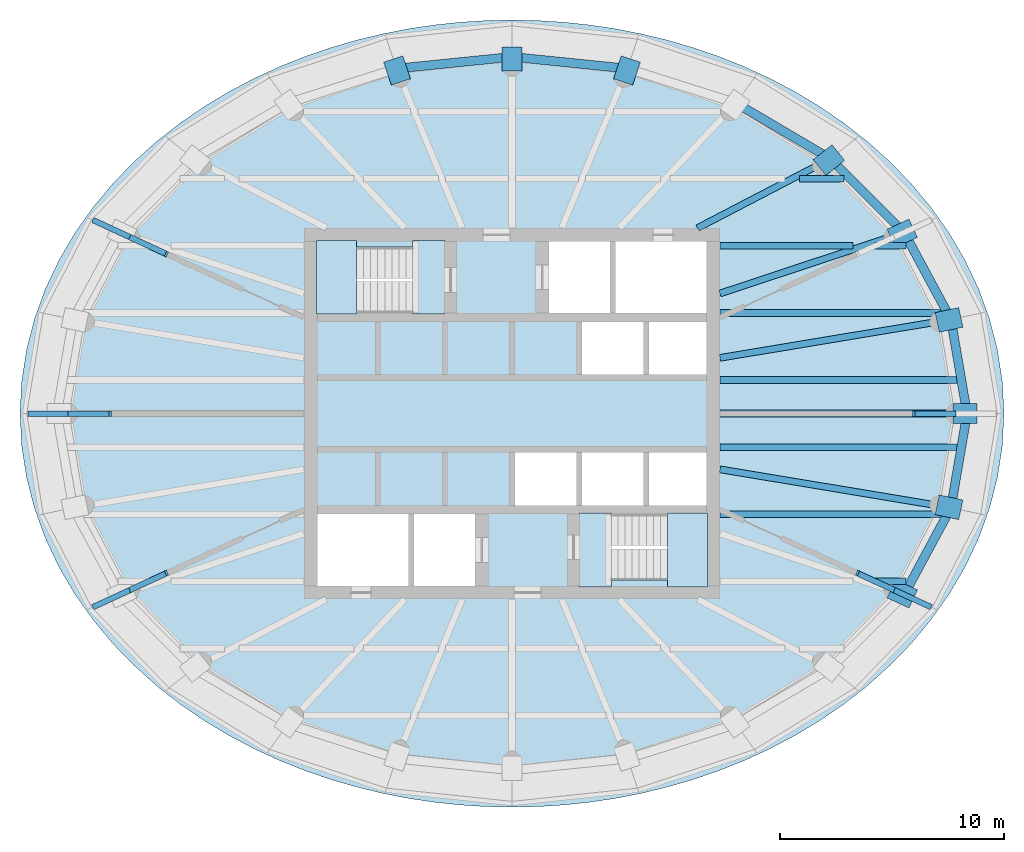
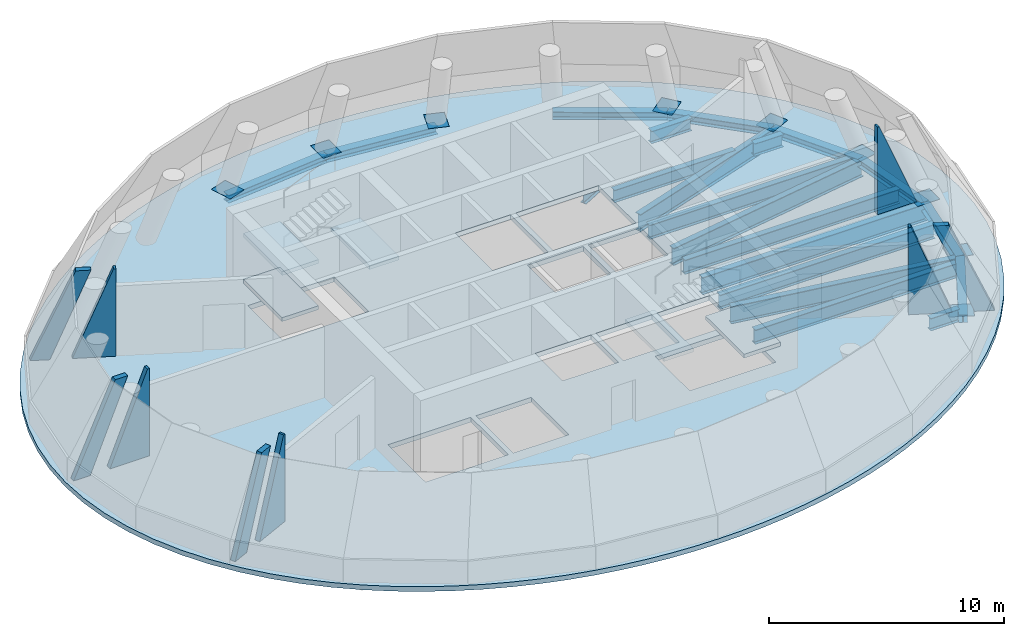
# One storey, part 3 of 6: 30 beams, 9 plates, 7 slabs, 2 elements without a shape of their own.
"""IFC4 building model written with IfcOpenShell, lengths in metres."""

from ifc_helpers import new_model, si_unit, direction, frame, origin, origin_2d, place, context, subcontext, project, spatial, polyline, rectangle, i_section, outline, extrude, material, layer, layer_set, material_profile, profile_set, type_object, element, aggregate, save


model = new_model("IFC4")

# Units and contexts
model_context = context("Model", 3, precision=1e-05, world=origin(), true_north=direction((0.0, 1.0)))
body_context = subcontext(model_context, "Body", "Model", "MODEL_VIEW")
ifc_project = project(units=[si_unit("LENGTHUNIT", "METRE"), si_unit("AREAUNIT", "SQUARE_METRE"), si_unit("VOLUMEUNIT", "CUBIC_METRE"), si_unit("PLANEANGLEUNIT", "RADIAN"), si_unit("MASSUNIT", "GRAM", prefix="KILO")], contexts=[model_context])

# Site, building, storey
site_placement = place(None, origin())
site = spatial("IfcSite", under=ifc_project, at=site_placement, CompositionType="ELEMENT")
building_placement = place(site_placement, origin())
building = spatial("IfcBuilding", under=site, at=building_placement, Name="Hankou Lantern Tower", CompositionType="ELEMENT")
storey_placement = place(building_placement, frame((0.0, 0.0, 232.5)))
storey = spatial("IfcBuildingStorey", under=building, at=storey_placement, Name="L63", CompositionType="ELEMENT", Elevation=232.5)

# Beams
ifc_material_1 = material(Name="Steel Q355B", Category="steel")
ifc_material_profile_1 = material_profile(ifc_material_1, i_section(OverallWidth=0.39990234375, OverallDepth=0.39990234375, WebThickness=0.012939453125, FlangeThickness=0.02099609375, FilletRadius=0.02197265625, at=origin_2d()), Name="HW400x400x13x21")
ifc_profile_set_1 = profile_set([ifc_material_profile_1], Name="Steel Q355B")
beam_type_1 = type_object("IfcBeamType", Name="EB19 RING BEAM HW400x400x13x21", PredefinedType="SPANDREL", material=ifc_profile_set_1)
beam_1_placement = place(storey_placement, frame((20.35009765625, 0.0, -0.449951171875), z_axis=(-0.168876512999, 0.98563721691, 0.0), x_axis=(-0.98563721691, -0.168876512999, 0.0)))
element("IfcBeam", 1, at=beam_1_placement, inside=storey, type_object=beam_type_1, Name="Ring beam R01-R02 L63", PredefinedType="SPANDREL", context=body_context, shape_type="SweptSolid", body=[
    extrude(i_section(OverallWidth=0.39990234375, OverallDepth=0.39990234375, WebThickness=0.012939453125, FlangeThickness=0.02099609375, FilletRadius=0.02197265625, at=origin_2d()), origin(), (0.0, 0.0, 1.0), 4.26904296875),
])
beam_2_placement = place(storey_placement, frame((19.629150390625, 4.207763671875, -0.449951171875), z_axis=(-0.474491806611, 0.880259919262, 0.0), x_axis=(-0.880259919262, -0.474491806611, 0.0)))
element("IfcBeam", 2, at=beam_2_placement, inside=storey, type_object=beam_type_1, Name="Ring beam R02-R03 L63", PredefinedType="SPANDREL", context=body_context, shape_type="SweptSolid", body=[
    extrude(i_section(OverallWidth=0.39990234375, OverallDepth=0.39990234375, WebThickness=0.012939453125, FlangeThickness=0.02099609375, FilletRadius=0.02197265625, at=origin_2d()), origin(), (0.0, 0.0, 1.0), 4.419189453125),
])
beam_3_placement = place(storey_placement, frame((17.5322265625, 8.097900390625, -0.449951171875), z_axis=(-0.706608588034, 0.707604623583, 0.0), x_axis=(-0.707604623583, -0.706608588034, 0.0)))
element("IfcBeam", 3, at=beam_3_placement, inside=storey, type_object=beam_type_1, Name="Ring beam R03-R04 L63", PredefinedType="SPANDREL", context=body_context, shape_type="SweptSolid", body=[
    extrude(i_section(OverallWidth=0.39990234375, OverallDepth=0.39990234375, WebThickness=0.012939453125, FlangeThickness=0.02099609375, FilletRadius=0.02197265625, at=origin_2d()), origin(), (0.0, 0.0, 1.0), 4.6572265625),
])
beam_4_placement = place(storey_placement, frame((14.241455078125, 11.393310546875, -0.449951171875), z_axis=(-0.861422897323, 0.507888365655, 0.0), x_axis=(-0.507888365655, -0.861422897323, 0.0)))
element("IfcBeam", 4, at=beam_4_placement, inside=storey, type_object=beam_type_1, Name="Ring beam R04-R05 L63", PredefinedType="SPANDREL", context=body_context, shape_type="SweptSolid", body=[
    extrude(i_section(OverallWidth=0.39990234375, OverallDepth=0.39990234375, WebThickness=0.012939453125, FlangeThickness=0.02099609375, FilletRadius=0.02197265625, at=origin_2d()), origin(), (0.0, 0.0, 1.0), 4.901611328125),
])
for number, where, z_axis, x_axis, name in (
    (5, (5.167236328125, 15.42724609375, -0.449951171875), (-0.994922507736, 0.100643944676, 0.0), (-0.100643944676, -0.994922507736, 0.0), "Ring beam R06-R07 L63"),
    (6, (0.0, 15.949951171875, -0.449951171875), (-0.994922507736, -0.100643944676, 0.0), (0.100643944676, -0.994922507736, 0.0), "Ring beam R07-R08 L63"),
):
    element("IfcBeam", number, at=place(storey_placement, frame(where, z_axis=z_axis, x_axis=x_axis)), inside=storey, type_object=beam_type_1, Name=name, PredefinedType="SPANDREL", context=body_context, shape_type="SweptSolid", body=[
        extrude(i_section(OverallWidth=0.39990234375, OverallDepth=0.39990234375, WebThickness=0.012939453125, FlangeThickness=0.02099609375, FilletRadius=0.02197265625, at=origin_2d()), origin(), (0.0, 0.0, 1.0), 5.193603515625),
    ])
beam_5_placement = place(storey_placement, frame((17.5322265625, -8.097900390625, -0.449951171875), z_axis=(0.474491806611, 0.880259919262, 0.0), x_axis=(-0.880259919262, 0.474491806611, 0.0)))
element("IfcBeam", 7, at=beam_5_placement, inside=storey, type_object=beam_type_1, Name="Ring beam R23-R24 L63", PredefinedType="SPANDREL", context=body_context, shape_type="SweptSolid", body=[
    extrude(i_section(OverallWidth=0.39990234375, OverallDepth=0.39990234375, WebThickness=0.012939453125, FlangeThickness=0.02099609375, FilletRadius=0.02197265625, at=origin_2d()), origin(), (0.0, 0.0, 1.0), 4.419189453125),
])
beam_6_placement = place(storey_placement, frame((19.629150390625, -4.207763671875, -0.449951171875), z_axis=(0.168876512999, 0.98563721691, 0.0), x_axis=(-0.98563721691, 0.168876512999, 0.0)))
element("IfcBeam", 8, at=beam_6_placement, inside=storey, type_object=beam_type_1, Name="Ring beam R24-R01 L63", PredefinedType="SPANDREL", context=body_context, shape_type="SweptSolid", body=[
    extrude(i_section(OverallWidth=0.39990234375, OverallDepth=0.39990234375, WebThickness=0.012939453125, FlangeThickness=0.02099609375, FilletRadius=0.02197265625, at=origin_2d()), origin(), (0.0, 0.0, 1.0), 4.26904296875),
])
ifc_material_2 = material(Name="Steel Q355B", Category="steel")
ifc_material_profile_2 = material_profile(ifc_material_2, i_section(OverallWidth=0.300048828125, OverallDepth=0.89990234375, WebThickness=0.01611328125, FlangeThickness=0.028076171875, FilletRadius=0.01806640625, at=origin_2d()), Name="HN900x300x16x28")
ifc_profile_set_2 = profile_set([ifc_material_profile_2], Name="Steel Q355B")
beam_type_2 = type_object("IfcBeamType", Name="RB13 RADIAL BEAM HN900x300x16x28", PredefinedType="BEAM", material=ifc_profile_set_2)
beam_7_placement = place(storey_placement, frame((9.300048828125, 0.0, -0.699951171875), z_axis=(1.0, 0.0, 0.0), x_axis=(0.0, 1.0, 0.0)))
element("IfcBeam", 9, at=beam_7_placement, inside=storey, type_object=beam_type_2, Name="Radial beam R01 L63", PredefinedType="BEAM", context=body_context, shape_type="SweptSolid", body=[
    extrude(i_section(OverallWidth=0.300048828125, OverallDepth=0.89990234375, WebThickness=0.01611328125, FlangeThickness=0.028076171875, FilletRadius=0.01806640625, at=origin_2d()), origin(), (0.0, 0.0, 1.0), 11.050048828125),
])
beam_8_placement = place(storey_placement, frame((9.300048828125, 2.491943359375, -0.699951171875), z_axis=(0.986482007061, 0.163869612027, 0.0), x_axis=(-0.163869612027, 0.986482007061, 0.0)))
element("IfcBeam", 10, at=beam_8_placement, inside=storey, type_object=beam_type_2, Name="Radial beam R02 L63", PredefinedType="BEAM", context=body_context, shape_type="SweptSolid", body=[
    extrude(i_section(OverallWidth=0.300048828125, OverallDepth=0.89990234375, WebThickness=0.01611328125, FlangeThickness=0.028076171875, FilletRadius=0.01806640625, at=origin_2d()), origin(), (0.0, 0.0, 1.0), 10.470703125),
])
beam_9_placement = place(storey_placement, frame((9.300048828125, 5.369384765625, -0.699951171875), z_axis=(0.949219608576, 0.314614263337, 0.0), x_axis=(-0.314614263337, 0.949219608576, 0.0)))
element("IfcBeam", 11, at=beam_9_placement, inside=storey, type_object=beam_type_2, Name="Radial beam R03 L63", PredefinedType="BEAM", context=body_context, shape_type="SweptSolid", body=[
    extrude(i_section(OverallWidth=0.300048828125, OverallDepth=0.89990234375, WebThickness=0.01611328125, FlangeThickness=0.028076171875, FilletRadius=0.01806640625, at=origin_2d()), origin(), (0.0, 0.0, 1.0), 8.672607421875),
])
beam_10_placement = place(storey_placement, frame((8.300048828125, 8.300048828125, -0.699951171875), z_axis=(0.886988734783, 0.461791061378, 0.0), x_axis=(-0.461791061378, 0.886988734783, 0.0)))
element("IfcBeam", 12, at=beam_10_placement, inside=storey, type_object=beam_type_2, Name="Radial beam R04 L63", PredefinedType="BEAM", context=body_context, shape_type="SweptSolid", body=[
    extrude(i_section(OverallWidth=0.300048828125, OverallDepth=0.89990234375, WebThickness=0.01611328125, FlangeThickness=0.028076171875, FilletRadius=0.01806640625, at=origin_2d()), origin(), (0.0, 0.0, 1.0), 6.698486328125),
])
beam_11_placement = place(storey_placement, frame((9.300048828125, -2.491943359375, -0.699951171875), z_axis=(0.986482007061, -0.163869612027, 0.0), x_axis=(0.163869612027, 0.986482007061, 0.0)))
element("IfcBeam", 13, at=beam_11_placement, inside=storey, type_object=beam_type_2, Name="Radial beam R24 L63", PredefinedType="BEAM", context=body_context, shape_type="SweptSolid", body=[
    extrude(i_section(OverallWidth=0.300048828125, OverallDepth=0.89990234375, WebThickness=0.01611328125, FlangeThickness=0.028076171875, FilletRadius=0.01806640625, at=origin_2d()), origin(), (0.0, 0.0, 1.0), 10.470703125),
])
ifc_material_3 = material(Name="Steel Q355B", Category="steel")
ifc_material_profile_3 = material_profile(ifc_material_3, i_section(OverallWidth=0.300048828125, OverallDepth=0.75, WebThickness=0.012939453125, FlangeThickness=0.02392578125, FilletRadius=0.01806640625, at=origin_2d()), Name="HN750x300x13x24")
ifc_profile_set_3 = profile_set([ifc_material_profile_3], Name="Steel Q355B")
beam_type_3 = type_object("IfcBeamType", Name="SB10 SECONDARY BEAM HN750x300x13x24", PredefinedType="JOIST", material=ifc_profile_set_3)
beam_12_placement = place(storey_placement, frame((9.300048828125, -4.5, -0.625), z_axis=(1.0, 0.0, 0.0), x_axis=(0.0, 1.0, 0.0)))
element("IfcBeam", 14, at=beam_12_placement, inside=storey, type_object=beam_type_3, Name="Floor joist J018 L63", PredefinedType="JOIST", context=body_context, shape_type="SweptSolid", body=[
    extrude(i_section(OverallWidth=0.300048828125, OverallDepth=0.75, WebThickness=0.012939453125, FlangeThickness=0.02392578125, FilletRadius=0.01806640625, at=origin_2d()), origin(), (0.0, 0.0, 1.0), 9.9443359375),
])
for number, where, z_axis, x_axis, name in (
    (15, (9.300048828125, -1.5, -0.625), (1.0, 0.0, 0.0), (0.0, 1.0, 0.0), "Floor joist J020 L63"),
    (16, (9.300048828125, 1.5, -0.625), (1.0, 0.0, 0.0), (0.0, 1.0, 0.0), "Floor joist J022 L63"),
):
    element("IfcBeam", number, at=place(storey_placement, frame(where, z_axis=z_axis, x_axis=x_axis)), inside=storey, type_object=beam_type_3, Name=name, PredefinedType="JOIST", context=body_context, shape_type="SweptSolid", body=[
        extrude(i_section(OverallWidth=0.300048828125, OverallDepth=0.75, WebThickness=0.012939453125, FlangeThickness=0.02392578125, FilletRadius=0.01806640625, at=origin_2d()), origin(), (0.0, 0.0, 1.0), 10.590087890625),
    ])
beam_13_placement = place(storey_placement, frame((9.300048828125, 4.5, -0.625), z_axis=(1.0, 0.0, 0.0), x_axis=(0.0, 1.0, 0.0)))
element("IfcBeam", 17, at=beam_13_placement, inside=storey, type_object=beam_type_3, Name="Floor joist J024 L63", PredefinedType="JOIST", context=body_context, shape_type="SweptSolid", body=[
    extrude(i_section(OverallWidth=0.300048828125, OverallDepth=0.75, WebThickness=0.012939453125, FlangeThickness=0.02392578125, FilletRadius=0.01806640625, at=origin_2d()), origin(), (0.0, 0.0, 1.0), 9.9443359375),
])
ifc_material_4 = material(Name="Steel Q355B", Category="steel")
ifc_material_profile_4 = material_profile(ifc_material_4, i_section(OverallWidth=0.300048828125, OverallDepth=0.64990234375, WebThickness=0.010986328125, FlangeThickness=0.01708984375, FilletRadius=0.01806640625, at=origin_2d()), Name="HN650x300x11x17")
ifc_profile_set_4 = profile_set([ifc_material_profile_4], Name="Steel Q355B")
beam_type_4 = type_object("IfcBeamType", Name="SB8 SECONDARY BEAM HN650x300x11x17", PredefinedType="JOIST", material=ifc_profile_set_4)
beam_14_placement = place(storey_placement, frame((16.205322265625, -7.5, -0.574951171875), z_axis=(1.0, 0.0, 0.0), x_axis=(0.0, 1.0, 0.0)))
element("IfcBeam", 18, at=beam_14_placement, inside=storey, type_object=beam_type_4, Name="Floor joist J016 L63", PredefinedType="JOIST", context=body_context, shape_type="SweptSolid", body=[
    extrude(i_section(OverallWidth=0.300048828125, OverallDepth=0.64990234375, WebThickness=0.010986328125, FlangeThickness=0.01708984375, FilletRadius=0.01806640625, at=origin_2d()), origin(), (0.0, 0.0, 1.0), 1.421875),
])
beam_15_placement = place(storey_placement, frame((9.300048828125, 7.5, -0.574951171875), z_axis=(1.0, 0.0, 0.0), x_axis=(0.0, 1.0, 0.0)))
element("IfcBeam", 19, at=beam_15_placement, inside=storey, type_object=beam_type_4, Name="Floor joist J027 L63", PredefinedType="JOIST", context=body_context, shape_type="SweptSolid", body=[
    extrude(i_section(OverallWidth=0.300048828125, OverallDepth=0.64990234375, WebThickness=0.010986328125, FlangeThickness=0.01708984375, FilletRadius=0.01806640625, at=origin_2d()), origin(), (0.0, 0.0, 1.0), 5.95166015625),
])
beam_16_placement = place(storey_placement, frame((16.205322265625, 7.5, -0.574951171875), z_axis=(1.0, 0.0, 0.0), x_axis=(0.0, 1.0, 0.0)))
element("IfcBeam", 20, at=beam_16_placement, inside=storey, type_object=beam_type_4, Name="Floor joist J028 L63", PredefinedType="JOIST", context=body_context, shape_type="SweptSolid", body=[
    extrude(i_section(OverallWidth=0.300048828125, OverallDepth=0.64990234375, WebThickness=0.010986328125, FlangeThickness=0.01708984375, FilletRadius=0.01806640625, at=origin_2d()), origin(), (0.0, 0.0, 1.0), 1.421875),
])
beam_17_placement = place(storey_placement, frame((12.8505859375, 10.5, -0.574951171875), z_axis=(1.0, 0.0, 0.0), x_axis=(0.0, 1.0, 0.0)))
element("IfcBeam", 21, at=beam_17_placement, inside=storey, type_object=beam_type_4, Name="Floor joist J036 L63", PredefinedType="JOIST", context=body_context, shape_type="SweptSolid", body=[
    extrude(i_section(OverallWidth=0.300048828125, OverallDepth=0.64990234375, WebThickness=0.010986328125, FlangeThickness=0.01708984375, FilletRadius=0.01806640625, at=origin_2d()), origin(), (0.0, 0.0, 1.0), 2.000244140625),
])
ifc_material_5 = material(Name="Concrete C50", Category="concrete")
ifc_material_profile_5 = material_profile(ifc_material_5, rectangle(XDim=0.89990234375, YDim=1.050048828125, at=origin_2d()), Name="RC 900x1050")
ifc_profile_set_5 = profile_set([ifc_material_profile_5], Name="Concrete C50")
beam_type_5 = type_object("IfcBeamType", Name="TN4 TRANSFER NODE RC 900x1050", PredefinedType="BEAM", material=ifc_profile_set_5)
beam_18_placement = place(storey_placement, frame((20.800048828125, 0.0, -0.52490234375), z_axis=(-1.0, 0.0, 0.0), x_axis=(0.0, -1.0, 0.0)))
element("IfcBeam", 22, at=beam_18_placement, inside=storey, type_object=beam_type_5, Name="Transfer node R01 L63", PredefinedType="BEAM", context=body_context, shape_type="SweptSolid", body=[
    extrude(rectangle(XDim=0.89990234375, YDim=1.050048828125, at=origin_2d()), origin(), (0.0, 0.0, 1.0), 1.080078125),
])
for number, where, z_axis, x_axis, name in (
    (23, (20.069091796875, 4.302001953125, -0.52490234375), (-0.977792487553, -0.209575407159, 0.0), (0.209575407159, -0.977792487553, 0.0), "Transfer node R02 L63"),
    (24, (17.940673828125, 8.286376953125, -0.52490234375), (-0.907919679342, -0.419144194597, 0.0), (0.419144194597, -0.907919679342, 0.0), "Transfer node R03 L63"),
):
    element("IfcBeam", number, at=place(storey_placement, frame(where, z_axis=z_axis, x_axis=x_axis)), inside=storey, type_object=beam_type_5, Name=name, PredefinedType="BEAM", context=body_context, shape_type="SweptSolid", body=[
        extrude(rectangle(XDim=0.89990234375, YDim=1.050048828125, at=origin_2d()), origin(), (0.0, 0.0, 1.0), 1.079833984375),
    ])
for number, where, z_axis, x_axis, name in (
    (25, (14.593017578125, 11.67431640625, -0.52490234375), (-0.780979062227, -0.624557206638, 0.0), (0.624557206638, -0.780979062227, 0.0), "Transfer node R04 L63"),
    (26, (5.31005859375, 15.85400390625, -0.52490234375), (-0.317583672079, -0.948230252222, 0.0), (0.948230252222, -0.317583672079, 0.0), "Transfer node R06 L63"),
):
    element("IfcBeam", number, at=place(storey_placement, frame(where, z_axis=z_axis, x_axis=x_axis)), inside=storey, type_object=beam_type_5, Name=name, PredefinedType="BEAM", context=body_context, shape_type="SweptSolid", body=[
        extrude(rectangle(XDim=0.89990234375, YDim=1.050048828125, at=origin_2d()), origin(), (0.0, 0.0, 1.0), 1.080078125),
    ])
beam_19_placement = place(storey_placement, frame((0.0, 16.39990234375, -0.52490234375), z_axis=(0.0, -1.0, 0.0), x_axis=(1.0, 0.0, 0.0)))
element("IfcBeam", 27, at=beam_19_placement, inside=storey, type_object=beam_type_5, Name="Transfer node R07 L63", PredefinedType="BEAM", context=body_context, shape_type="SweptSolid", body=[
    extrude(rectangle(XDim=0.89990234375, YDim=1.050048828125, at=origin_2d()), origin(), (0.0, 0.0, 1.0), 1.079833984375),
])
beam_20_placement = place(storey_placement, frame((-5.31005859375, 15.85400390625, -0.52490234375), z_axis=(0.317583672079, -0.948230252222, 0.0), x_axis=(0.948230252222, 0.317583672079, 0.0)))
element("IfcBeam", 28, at=beam_20_placement, inside=storey, type_object=beam_type_5, Name="Transfer node R08 L63", PredefinedType="BEAM", context=body_context, shape_type="SweptSolid", body=[
    extrude(rectangle(XDim=0.89990234375, YDim=1.050048828125, at=origin_2d()), origin(), (0.0, 0.0, 1.0), 1.080078125),
])
for number, where, z_axis, x_axis, name in (
    (29, (17.940673828125, -8.286376953125, -0.52490234375), (-0.907919679342, 0.419144194597, 0.0), (-0.419144194597, -0.907919679342, 0.0), "Transfer node R23 L63"),
    (30, (20.069091796875, -4.302001953125, -0.52490234375), (-0.977792487553, 0.209575407159, 0.0), (-0.209575407159, -0.977792487553, 0.0), "Transfer node R24 L63"),
):
    element("IfcBeam", number, at=place(storey_placement, frame(where, z_axis=z_axis, x_axis=x_axis)), inside=storey, type_object=beam_type_5, Name=name, PredefinedType="BEAM", context=body_context, shape_type="SweptSolid", body=[
        extrude(rectangle(XDim=0.89990234375, YDim=1.050048828125, at=origin_2d()), origin(), (0.0, 0.0, 1.0), 1.079833984375),
    ])

# Plates
ifc_material_6 = material(Name="Fire-rated calcium silicate board on steel studs", Category="steel")
ifc_layer_1 = layer(ifc_material_6, 0.25)
ifc_layer_set_1 = layer_set([ifc_layer_1], Name="Fire-rated calcium silicate board on steel studs")
plate_type = type_object("IfcPlateType", Name="FC1 FIRE CLOSURE PANEL", PredefinedType="USERDEFINED", material=ifc_layer_set_1)
plate_1_placement = place(storey_placement, frame((-15.352783203125, 7.228759765625, 0.0), z_axis=(0.41945302276, 0.907777043616, -2.793261e-05), x_axis=(-0.907777043971, 0.419453022924, -1.908e-09)))
element("IfcPlate", 31, at=plate_1_placement, inside=storey, type_object=plate_type, Name="Fire closure panel R11 inner L63", ObjectType="FIRE CLOSURE", PredefinedType="USERDEFINED", context=body_context, shape_type="SweptSolid", body=[
    extrude(outline(polyline([(0.0, 0.0), (1.8604915652962406, 3.3881317890172014e-21), (0.09983671086276942, 4.550048830090547), (-8.682153371111548e-09, 4.550048826349956), (0.0, 0.0)])), origin(), (0.0, 0.0, -1.0), 0.25),
])
plate_2_placement = place(storey_placement, frame((-17.91796875, 8.41357421875, 0.0), z_axis=(0.4194284142, 0.907788412327, -6.1702045e-05), x_axis=(-0.907788414055, 0.419428414998, -5.385e-09)))
element("IfcPlate", 32, at=plate_2_placement, inside=storey, type_object=plate_type, Name="Fire closure panel R11 outer L63", ObjectType="FIRE CLOSURE", PredefinedType="USERDEFINED", context=body_context, shape_type="SweptSolid", body=[
    extrude(outline(polyline([(0.0, 0.0), (0.8511608088893448, 3.3881317890172014e-21), (-1.1065584503645711, 4.550048830827465), (-1.7606548764971905, 4.550048822721571), (0.0, 0.0)])), origin(), (0.0, 0.0, -1.0), 0.25),
])
plate_3_placement = place(storey_placement, frame((-15.352783203125, -7.228759765625, 0.0), z_axis=(0.41945302276, -0.907777043616, -2.793261e-05), x_axis=(-0.907777043971, -0.419453022924, -1.908e-09)))
element("IfcPlate", 33, at=plate_3_placement, inside=storey, type_object=plate_type, Name="Fire closure panel R15 inner L63", ObjectType="FIRE CLOSURE", PredefinedType="USERDEFINED", context=body_context, shape_type="SweptSolid", body=[
    extrude(outline(polyline([(0.0, 0.0), (1.8604915652962406, -3.3881317890172014e-21), (0.09983671086276942, -4.550048830090547), (-8.682153371111548e-09, -4.550048826349956), (0.0, 0.0)])), origin(), (0.0, 0.0, -1.0), 0.25),
])
plate_4_placement = place(storey_placement, frame((-17.91796875, -8.41357421875, 0.0), z_axis=(0.4194284142, -0.907788412327, -6.1702045e-05), x_axis=(-0.907788414055, -0.419428414998, -5.385e-09)))
element("IfcPlate", 34, at=plate_4_placement, inside=storey, type_object=plate_type, Name="Fire closure panel R15 outer L63", ObjectType="FIRE CLOSURE", PredefinedType="USERDEFINED", context=body_context, shape_type="SweptSolid", body=[
    extrude(outline(polyline([(0.0, 0.0), (0.8511608088893448, -3.3881317890172014e-21), (-1.1065584503645711, -4.550048830827465), (-1.7606548764971905, -4.550048822721571), (0.0, 0.0)])), origin(), (0.0, 0.0, -1.0), 0.25),
])
plate_5_placement = place(storey_placement, frame((15.45751953125, -7.001708984375, 0.0), z_axis=(0.419405606369, 0.907798952028, 6.57478e-06), x_axis=(0.907798952048, -0.419405606378, -1.06e-10)))
element("IfcPlate", 35, at=plate_5_placement, inside=storey, type_object=plate_type, Name="Fire closure panel R23 inner L63", ObjectType="FIRE CLOSURE", PredefinedType="USERDEFINED", context=body_context, shape_type="SweptSolid", body=[
    extrude(outline(polyline([(0.0, 0.0), (1.8604915693968052, 0.0), (0.10005834289268663, -4.550048828233923), (-4.810241623492531e-10, -4.5500488280266564), (0.0, 0.0)])), origin(), (0.0, 0.0, -1.0), 0.25),
])
plate_6_placement = place(storey_placement, frame((18.022705078125, -8.1865234375, 0.0), z_axis=(0.419366667736, 0.90781693967, 4.5160292e-05), x_axis=(0.907816940596, -0.419366668164, 5.455e-09)))
element("IfcPlate", 36, at=plate_6_placement, inside=storey, type_object=plate_type, Name="Fire closure panel R23 outer L63", ObjectType="FIRE CLOSURE", PredefinedType="USERDEFINED", context=body_context, shape_type="SweptSolid", body=[
    extrude(outline(polyline([(0.0, 0.0), (0.8514848314088794, 0.0), (-1.1065584175762293, -4.550048838801492), (-1.7605524527025889, -4.550048847014439), (0.0, 0.0)])), origin(), (0.0, 0.0, -1.0), 0.25),
])
plate_7_placement = place(storey_placement, frame((17.915771484375, 0.125, 0.0), z_axis=(0.0, 1.0, 0.0), x_axis=(1.0, 0.0, 0.0)))
element("IfcPlate", 37, at=plate_7_placement, inside=storey, type_object=plate_type, Name="Fire closure panel R01 inner L63", ObjectType="FIRE CLOSURE", PredefinedType="USERDEFINED", context=body_context, shape_type="SweptSolid", body=[
    extrude(outline(polyline([(0.0, 0.0), (1.948486328125, 0.0), (0.10009765625, -4.550048828125), (0.0, -4.550048828125), (0.0, 0.0)])), origin(), (0.0, 0.0, -1.0), 0.25),
])
plate_8_placement = place(storey_placement, frame((-17.915771484375, 0.125, 0.0), z_axis=(0.0, 1.0, 0.0), x_axis=(-1.0, 0.0, 0.0)))
element("IfcPlate", 38, at=plate_8_placement, inside=storey, type_object=plate_type, Name="Fire closure panel R13 inner L63", ObjectType="FIRE CLOSURE", PredefinedType="USERDEFINED", context=body_context, shape_type="SweptSolid", body=[
    extrude(outline(polyline([(0.0, 0.0), (1.948486328125, 0.0), (0.10009765625, 4.550048828125), (0.0, 4.550048828125), (0.0, 0.0)])), origin(), (0.0, 0.0, -1.0), 0.25),
])
plate_9_placement = place(storey_placement, frame((-20.835693359375, 0.125, 0.0), z_axis=(0.0, 1.0, 0.0), x_axis=(-1.0, 0.0, 0.0)))
element("IfcPlate", 39, at=plate_9_placement, inside=storey, type_object=plate_type, Name="Fire closure panel R13 outer L63", ObjectType="FIRE CLOSURE", PredefinedType="USERDEFINED", context=body_context, shape_type="SweptSolid", body=[
    extrude(outline(polyline([(0.0, 0.0), (0.814208984375, 0.0), (-1.235595703125, 4.550048828125), (-1.848388671875, 4.550048828125), (0.0, 0.0)])), origin(), (0.0, 0.0, -1.0), 0.25),
])

# Slab
ifc_material_7 = material(Name="Concrete C50", Category="concrete")
ifc_layer_2 = layer(ifc_material_7, 0.25)
ifc_layer_set_2 = layer_set([ifc_layer_2], Name="Concrete C50")
slab_type_1 = type_object("IfcSlabType", Name="S2 HEAVY FLOOR SLAB 250", PredefinedType="FLOOR", material=ifc_layer_set_2)
slab_1_placement = place(storey_placement, frame((0.0, 0.0, -0.25)))
element("IfcSlab", 40, at=slab_1_placement, inside=storey, type_object=slab_type_1, Name="Floor slab L63", PredefinedType="FLOOR", context=body_context, shape_type="SweptSolid", body=[
    extrude(outline(polyline([(22.0, 0.0), (21.926513671875, 1.437255859375), (21.7080078125, 2.85791015625), (21.349853515625, 4.246826171875), (20.861083984375, 5.589599609375), (20.252197265625, 6.874755859375), (19.53662109375, 8.09228515625), (18.727783203125, 9.235595703125), (17.83935546875, 10.299560546875), (16.88525390625, 11.2822265625), (15.877197265625, 12.18310546875), (14.82666015625, 13.002685546875), (13.743408203125, 13.743408203125), (12.63525390625, 14.40771484375), (11.509521484375, 14.999267578125), (10.37109375, 15.521728515625), (9.224853515625, 15.97802734375), (8.07373046875, 16.3720703125), (6.920166015625, 16.70654296875), (5.765625, 16.98486328125), (4.611083984375, 17.208984375), (3.457275390625, 17.38134765625), (2.304443359375, 17.503173828125), (1.152099609375, 17.575927734375), (0.0, 17.60009765625), (-1.152099609375, 17.575927734375), (-2.304443359375, 17.503173828125), (-3.457275390625, 17.38134765625), (-4.611083984375, 17.208984375), (-5.765625, 16.98486328125), (-6.920166015625, 16.70654296875), (-8.07373046875, 16.3720703125), (-9.224853515625, 15.97802734375), (-10.37109375, 15.521728515625), (-11.509521484375, 14.999267578125), (-12.63525390625, 14.40771484375), (-13.743408203125, 13.743408203125), (-14.82666015625, 13.002685546875), (-15.877197265625, 12.18310546875), (-16.88525390625, 11.2822265625), (-17.83935546875, 10.299560546875), (-18.727783203125, 9.235595703125), (-19.53662109375, 8.09228515625), (-20.252197265625, 6.874755859375), (-20.861083984375, 5.589599609375), (-21.349853515625, 4.246826171875), (-21.7080078125, 2.85791015625), (-21.926513671875, 1.437255859375), (-22.0, 0.0), (-21.926513671875, -1.437255859375), (-21.7080078125, -2.85791015625), (-21.349853515625, -4.246826171875), (-20.861083984375, -5.589599609375), (-20.252197265625, -6.874755859375), (-19.53662109375, -8.09228515625), (-18.727783203125, -9.235595703125), (-17.83935546875, -10.299560546875), (-16.88525390625, -11.2822265625), (-15.877197265625, -12.18310546875), (-14.82666015625, -13.002685546875), (-13.743408203125, -13.743408203125), (-12.63525390625, -14.40771484375), (-11.509521484375, -14.999267578125), (-10.37109375, -15.521728515625), (-9.224853515625, -15.97802734375), (-8.07373046875, -16.3720703125), (-6.920166015625, -16.70654296875), (-5.765625, -16.98486328125), (-4.611083984375, -17.208984375), (-3.457275390625, -17.38134765625), (-2.304443359375, -17.503173828125), (-1.152099609375, -17.575927734375), (0.0, -17.60009765625), (1.152099609375, -17.575927734375), (2.304443359375, -17.503173828125), (3.457275390625, -17.38134765625), (4.611083984375, -17.208984375), (5.765625, -16.98486328125), (6.920166015625, -16.70654296875), (8.07373046875, -16.3720703125), (9.224853515625, -15.97802734375), (10.37109375, -15.521728515625), (11.509521484375, -14.999267578125), (12.63525390625, -14.40771484375), (13.743408203125, -13.743408203125), (14.82666015625, -13.002685546875), (15.877197265625, -12.18310546875), (16.88525390625, -11.2822265625), (17.83935546875, -10.299560546875), (18.727783203125, -9.235595703125), (19.53662109375, -8.09228515625), (20.252197265625, -6.874755859375), (20.861083984375, -5.589599609375), (21.349853515625, -4.246826171875), (21.7080078125, -2.85791015625), (21.926513671875, -1.437255859375), (22.0, 0.0)]), holes=[polyline([(3.125, 4.10009765625), (5.875, 4.10009765625), (5.875, 1.75), (3.125, 1.75), (3.125, 4.10009765625)]), polyline([(6.125, 4.10009765625), (8.699951171875, 4.10009765625), (8.699951171875, 1.75), (6.125, 1.75), (6.125, 4.10009765625)]), polyline([(0.125, -1.75), (2.875, -1.75), (2.875, -4.10009765625), (0.125, -4.10009765625), (0.125, -1.75)]), polyline([(3.125, -1.75), (5.875, -1.75), (5.875, -4.10009765625), (3.125, -4.10009765625), (3.125, -1.75)]), polyline([(6.125, -1.75), (8.699951171875, -1.75), (8.699951171875, -4.10009765625), (6.125, -4.10009765625), (6.125, -1.75)]), polyline([(1.64990234375, 7.699951171875), (4.375, 7.699951171875), (4.375, 4.5), (1.64990234375, 4.5), (1.64990234375, 7.699951171875)]), polyline([(-4.375, -4.5), (-1.64990234375, -4.5), (-1.64990234375, -7.699951171875), (-4.375, -7.699951171875), (-4.375, -4.5)]), polyline([(-8.699951171875, 7.449951171875), (-4.449951171875, 7.449951171875), (-4.449951171875, 4.5), (-8.699951171875, 4.5), (-8.699951171875, 7.449951171875)]), polyline([(4.449951171875, -4.5), (8.699951171875, -4.5), (8.699951171875, -7.449951171875), (4.449951171875, -7.449951171875), (4.449951171875, -4.5)]), polyline([(4.625, 7.699951171875), (8.699951171875, 7.699951171875), (8.699951171875, 4.5), (4.625, 4.5), (4.625, 7.699951171875)]), polyline([(-8.699951171875, -4.5), (-4.625, -4.5), (-4.625, -7.699951171875), (-8.699951171875, -7.699951171875), (-8.699951171875, -4.5)])]), origin(), (0.0, 0.0, 1.0), 0.25),
])

# Stair, slabs
ifc_material_8 = material(Name="Concrete C40", Category="concrete")
stair_type = type_object("IfcStairType", Name="ST48 CORE STAIR 4800 RISE", PredefinedType="HALF_TURN_STAIR", material=ifc_material_8)
stair_1_placement = place(storey_placement, origin())
stair_1 = element("IfcStair", 41, at=stair_1_placement, inside=storey, type_object=stair_type, Name="Stair STA L63", PredefinedType="HALF_TURN_STAIR")
ifc_material_9 = material(Name="Concrete C40", Category="concrete")
ifc_layer_3 = layer(ifc_material_9, 0.199951171875)
ifc_layer_set_3 = layer_set([ifc_layer_3], Name="Concrete C40")
slab_type_2 = type_object("IfcSlabType", Name="SL1 STAIR LANDING 200", PredefinedType="LANDING", material=ifc_layer_set_3)
slab_2_placement = place(storey_placement, frame((0.0, 0.0, 1.0)))
slab_2 = element("IfcSlab", 42, at=slab_2_placement, type_object=slab_type_2, Name="STA landing 1", PredefinedType="LANDING", context=body_context, shape_type="SweptSolid", body=[
    extrude(outline(polyline([(-8.75, 4.449951171875), (-6.949951171875, 4.449951171875), (-6.949951171875, 7.75), (-8.75, 7.75), (-8.75, 4.449951171875)])), origin(), (0.0, 0.0, 1.0), 0.199951171875),
])
slab_3_placement = place(storey_placement, frame((0.0, 0.0, 2.199951171875)))
slab_3 = element("IfcSlab", 43, at=slab_3_placement, type_object=slab_type_2, Name="STA landing 2", PredefinedType="LANDING", context=body_context, shape_type="SweptSolid", body=[
    extrude(outline(polyline([(-4.449951171875, 4.449951171875), (-3.0, 4.449951171875), (-3.0, 7.75), (-4.449951171875, 7.75), (-4.449951171875, 4.449951171875)])), origin(), (0.0, 0.0, 1.0), 0.199951171875),
])
slab_4_placement = place(storey_placement, frame((0.0, 0.0, 3.39990234375)))
slab_4 = element("IfcSlab", 44, at=slab_4_placement, type_object=slab_type_2, Name="STA landing 3", PredefinedType="LANDING", context=body_context, shape_type="SweptSolid", body=[
    extrude(outline(polyline([(-8.75, 4.449951171875), (-6.949951171875, 4.449951171875), (-6.949951171875, 7.75), (-8.75, 7.75), (-8.75, 4.449951171875)])), origin(), (0.0, 0.0, 1.0), 0.2001953125),
])
aggregate(stair_1, [slab_2, slab_3, slab_4])

stair_2_placement = place(storey_placement, origin())
stair_2 = element("IfcStair", 45, at=stair_2_placement, inside=storey, type_object=stair_type, Name="Stair STB L63", PredefinedType="HALF_TURN_STAIR")
slab_5_placement = place(storey_placement, frame((0.0, 0.0, 1.0)))
slab_5 = element("IfcSlab", 46, at=slab_5_placement, type_object=slab_type_2, Name="STB landing 1", PredefinedType="LANDING", context=body_context, shape_type="SweptSolid", body=[
    extrude(outline(polyline([(8.75, -4.449951171875), (6.949951171875, -4.449951171875), (6.949951171875, -7.75), (8.75, -7.75), (8.75, -4.449951171875)])), origin(), (0.0, 0.0, 1.0), 0.199951171875),
])
slab_6_placement = place(storey_placement, frame((0.0, 0.0, 2.199951171875)))
slab_6 = element("IfcSlab", 47, at=slab_6_placement, type_object=slab_type_2, Name="STB landing 2", PredefinedType="LANDING", context=body_context, shape_type="SweptSolid", body=[
    extrude(outline(polyline([(4.449951171875, -4.449951171875), (3.0, -4.449951171875), (3.0, -7.75), (4.449951171875, -7.75), (4.449951171875, -4.449951171875)])), origin(), (0.0, 0.0, 1.0), 0.199951171875),
])
slab_7_placement = place(storey_placement, frame((0.0, 0.0, 3.39990234375)))
slab_7 = element("IfcSlab", 48, at=slab_7_placement, type_object=slab_type_2, Name="STB landing 3", PredefinedType="LANDING", context=body_context, shape_type="SweptSolid", body=[
    extrude(outline(polyline([(8.75, -4.449951171875), (6.949951171875, -4.449951171875), (6.949951171875, -7.75), (8.75, -7.75), (8.75, -4.449951171875)])), origin(), (0.0, 0.0, 1.0), 0.2001953125),
])
aggregate(stair_2, [slab_5, slab_6, slab_7])

save(model, "model.ifc")
